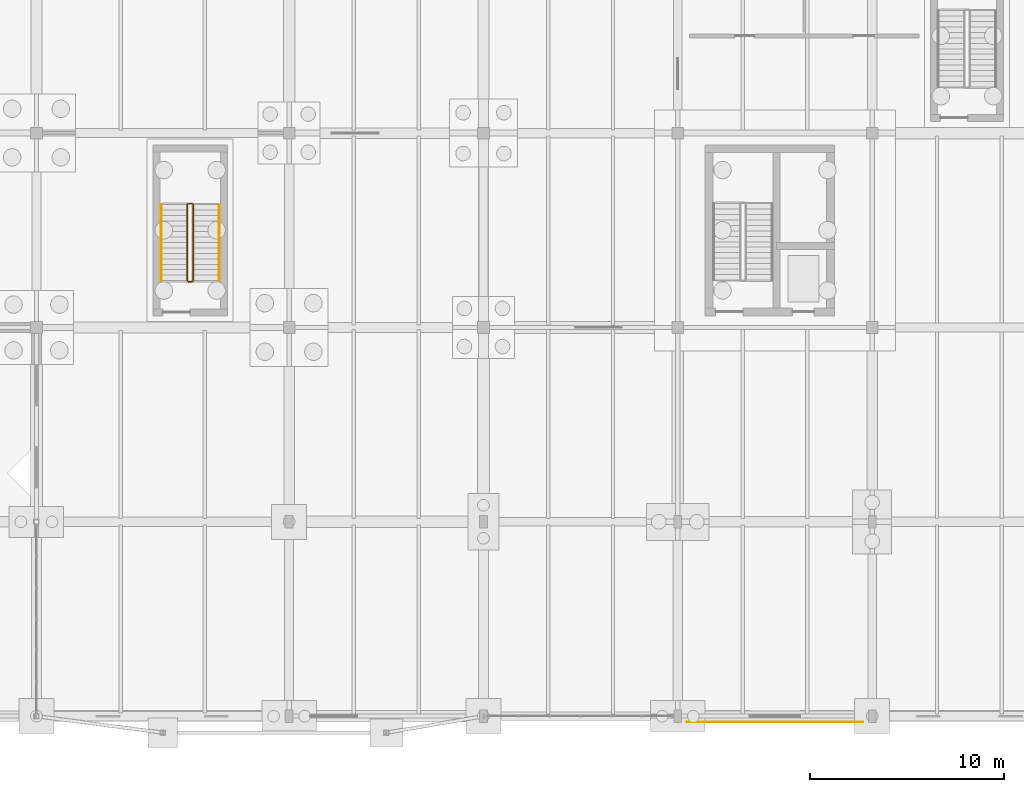
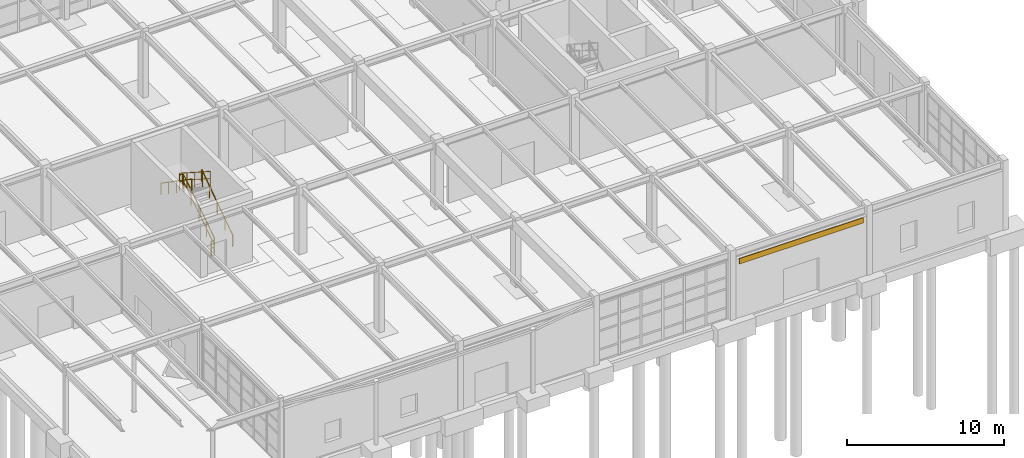
# One storey, part 139 of 145: 6 railings, 1 covering.
"""IFC4 building model written with IfcOpenShell, lengths in metres."""

from ifc_helpers import new_model, si_unit, direction, frame, origin, origin_2d, place, context, subcontext, project, spatial, polyline, circle, outline, extrude, material, layer, layer_set, type_object, element, save


model = new_model("IFC4")

# Units and contexts
model_context = context("Model", 3, precision=1e-05, world=origin(), true_north=direction((0.0, 1.0)))
body_context = subcontext(model_context, "Body", "Model", "MODEL_VIEW")
ifc_project = project(units=[si_unit("LENGTHUNIT", "METRE"), si_unit("AREAUNIT", "SQUARE_METRE"), si_unit("VOLUMEUNIT", "CUBIC_METRE"), si_unit("PLANEANGLEUNIT", "RADIAN"), si_unit("MASSUNIT", "GRAM", prefix="KILO"), si_unit("THERMODYNAMICTEMPERATUREUNIT", "KELVIN"), si_unit("POWERUNIT", "WATT")], contexts=[model_context])

# Site, building, storey
site_placement = place(None, origin())
site = spatial("IfcSite", under=ifc_project, at=site_placement, CompositionType="ELEMENT")
building_placement = place(site_placement, origin())
building = spatial("IfcBuilding", under=site, at=building_placement, Name="Korenveer Ferry Terminal", CompositionType="ELEMENT")
storey_placement = place(building_placement, origin())
storey = spatial("IfcBuildingStorey", under=building, at=storey_placement, Name="L00", CompositionType="ELEMENT", Elevation=0.0)

# Covering
ifc_material_1 = material(Name="Carved Belgian bluestone spandrel cladding", Category="masonry")
ifc_layer = layer(ifc_material_1, 0.050048828125)
ifc_layer_set = layer_set([ifc_layer], Name="Carved Belgian bluestone spandrel cladding")
covering_type = type_object("IfcCoveringType", Name="ENV-COV-STONE", PredefinedType="CLADDING", material=ifc_layer_set)
covering_placement = place(storey_placement, frame((0.0, 0.0, 4.179931640625)))
element("IfcCovering", 1, at=covering_placement, inside=storey, type_object=covering_type, Name="Belgian bluestone spandrel band 3", PredefinedType="CLADDING", context=body_context, shape_type="SweptSolid", body=[
    extrude(outline(polyline([(156.449951171875, -0.324951171875), (165.550048828125, -0.324951171875), (165.550048828125, -0.27490234375), (156.449951171875, -0.27490234375), (156.449951171875, -0.324951171875)])), origin(), (0.0, 0.0, 1.0), 0.420166015625),
])

# Railings
ifc_material_2 = material(Name="Brushed stainless steel handrail", Category="steel")
railing_type_1 = type_object("IfcRailingType", Name="INT-RL-HND90", PredefinedType="HANDRAIL", material=ifc_material_2)
railing_1_placement = place(storey_placement, frame((132.409912109375, 22.409912109375, 0.179931640625)))
element("IfcRailing", 2, at=railing_1_placement, inside=storey, type_object=railing_type_1, Name="L00 ST10 stair handrail 1", PredefinedType="HANDRAIL", context=body_context, shape_type="SweptSolid", body=[
    extrude(circle(Radius=0.02392578125, at=origin_2d()), frame((0.0, 0.0, 0.8759765625), z_axis=(0.0, 0.823567234665, 0.567218661528), x_axis=(-1.0, 0.0, 0.0)), (0.0, 0.0, 1.0), 4.760009765625),
    extrude(circle(Radius=0.02099609375, at=origin_2d()), origin(), (0.0, 0.0, 1.0), 0.851806640625),
    extrude(circle(Radius=0.02099609375, at=origin_2d()), frame((0.0, 0.97998046875, 0.675048828125)), (0.0, 0.0, 1.0), 0.851806640625),
    extrude(circle(Radius=0.02099609375, at=origin_2d()), frame((0.0, 1.9599609375, 1.35009765625)), (0.0, 0.0, 1.0), 0.851806640625),
    extrude(circle(Radius=0.02099609375, at=origin_2d()), frame((0.0, 2.940185546875, 2.02490234375)), (0.0, 0.0, 1.0), 0.851806640625),
    extrude(circle(Radius=0.02099609375, at=origin_2d()), frame((0.0, 3.920166015625, 2.699951171875)), (0.0, 0.0, 1.0), 0.851806640625),
])
railing_2_placement = place(storey_placement, frame((129.409912109375, 26.330078125, 2.8798828125)))
element("IfcRailing", 3, at=railing_2_placement, inside=storey, type_object=railing_type_1, Name="L00 ST10 stair handrail 2", PredefinedType="HANDRAIL", context=body_context, shape_type="SweptSolid", body=[
    extrude(circle(Radius=0.02392578125, at=origin_2d()), frame((0.0, 0.0, 0.8759765625), z_axis=(0.0, -0.82354327477, 0.567253448276), x_axis=(1.0, 0.0, 0.0)), (0.0, 0.0, 1.0), 4.760009765625),
    extrude(circle(Radius=0.02099609375, at=origin_2d()), origin(), (0.0, 0.0, 1.0), 0.851806640625),
    extrude(circle(Radius=0.02099609375, at=origin_2d()), frame((0.0, -0.97998046875, 0.675048828125)), (0.0, 0.0, 1.0), 0.851806640625),
    extrude(circle(Radius=0.02099609375, at=origin_2d()), frame((0.0, -1.9599609375, 1.35009765625)), (0.0, 0.0, 1.0), 0.851806640625),
    extrude(circle(Radius=0.02099609375, at=origin_2d()), frame((0.0, -2.940185546875, 2.025146484375)), (0.0, 0.0, 1.0), 0.851806640625),
    extrude(circle(Radius=0.02099609375, at=origin_2d()), frame((0.0, -3.920166015625, 2.7001953125)), (0.0, 0.0, 1.0), 0.851806640625),
])
ifc_material_3 = material(Name="Painted steel stair guard", Category="steel")
railing_type_2 = type_object("IfcRailingType", Name="INT-RL-STGRD", PredefinedType="GUARDRAIL", material=ifc_material_3)
railing_3_placement = place(storey_placement, frame((131.06005859375, 22.409912109375, 0.179931640625)))
element("IfcRailing", 4, at=railing_3_placement, inside=storey, type_object=railing_type_2, Name="L00 ST10 stair guard 1", PredefinedType="GUARDRAIL", context=body_context, shape_type="SweptSolid", body=[
    extrude(circle(Radius=0.02392578125, at=origin_2d()), frame((0.0, 0.0, 1.17578125), z_axis=(0.0, 0.841186985886, 0.540744352514), x_axis=(-1.0, 0.0, 0.0)), (0.0, 0.0, 1.0), 4.660400390625),
    extrude(circle(Radius=0.01806640625, at=origin_2d()), frame((0.0, 0.0, 0.6240234375), z_axis=(0.0, 0.841186985886, 0.540744352514), x_axis=(-1.0, 0.0, 0.0)), (0.0, 0.0, 1.0), 4.660400390625),
    extrude(circle(Radius=0.02099609375, at=origin_2d()), origin(), (0.0, 0.0, 1.0), 1.15185546875),
    extrude(circle(Radius=0.02099609375, at=origin_2d()), frame((0.0, 0.97998046875, 0.6298828125)), (0.0, 0.0, 1.0), 1.15185546875),
    extrude(circle(Radius=0.02099609375, at=origin_2d()), frame((0.0, 1.9599609375, 1.260009765625)), (0.0, 0.0, 1.0), 1.15185546875),
    extrude(circle(Radius=0.02099609375, at=origin_2d()), frame((0.0, 2.940185546875, 1.89013671875)), (0.0, 0.0, 1.0), 1.15185546875),
    extrude(circle(Radius=0.02099609375, at=origin_2d()), frame((0.0, 3.920166015625, 2.52001953125)), (0.0, 0.0, 1.0), 1.15185546875),
])
railing_4_placement = place(storey_placement, frame((131.010009765625, 26.3798828125, 2.699951171875)))
element("IfcRailing", 5, at=railing_4_placement, inside=storey, type_object=railing_type_2, Name="L00 ST10 stair guard 2", PredefinedType="GUARDRAIL", context=body_context, shape_type="SweptSolid", body=[
    extrude(circle(Radius=0.02392578125, at=origin_2d()), frame((0.0, 0.0, 1.17578125), z_axis=(-1.0, 0.0, 0.0), x_axis=(0.0, -1.0, 0.0)), (0.0, 0.0, 1.0), 0.199951171875),
    extrude(circle(Radius=0.01806640625, at=origin_2d()), frame((0.0, 0.0, 0.6240234375), z_axis=(-1.0, 0.0, 0.0), x_axis=(0.0, -1.0, 0.0)), (0.0, 0.0, 1.0), 0.199951171875),
    extrude(circle(Radius=0.02099609375, at=origin_2d()), origin(), (0.0, 0.0, 1.0), 1.15185546875),
    extrude(circle(Radius=0.02099609375, at=origin_2d()), frame((-0.199951171875, 0.0, 0.0)), (0.0, 0.0, 1.0), 1.15185546875),
])
railing_5_placement = place(storey_placement, frame((130.760009765625, 26.330078125, 2.8798828125)))
element("IfcRailing", 6, at=railing_5_placement, inside=storey, type_object=railing_type_2, Name="L00 ST10 stair guard 3", PredefinedType="GUARDRAIL", context=body_context, shape_type="SweptSolid", body=[
    extrude(circle(Radius=0.02392578125, at=origin_2d()), frame((0.0, 0.0, 1.17578125), z_axis=(0.0, -0.841186985886, 0.540744352514), x_axis=(1.0, 0.0, 0.0)), (0.0, 0.0, 1.0), 4.660400390625),
    extrude(circle(Radius=0.01806640625, at=origin_2d()), frame((0.0, 0.0, 0.6240234375), z_axis=(0.0, -0.841186985886, 0.540744352514), x_axis=(1.0, 0.0, 0.0)), (0.0, 0.0, 1.0), 4.660400390625),
    extrude(circle(Radius=0.02099609375, at=origin_2d()), origin(), (0.0, 0.0, 1.0), 1.15185546875),
    extrude(circle(Radius=0.02099609375, at=origin_2d()), frame((0.0, -0.97998046875, 0.6298828125)), (0.0, 0.0, 1.0), 1.15185546875),
    extrude(circle(Radius=0.02099609375, at=origin_2d()), frame((0.0, -1.9599609375, 1.260009765625)), (0.0, 0.0, 1.0), 1.15185546875),
    extrude(circle(Radius=0.02099609375, at=origin_2d()), frame((0.0, -2.940185546875, 1.89013671875)), (0.0, 0.0, 1.0), 1.15185546875),
    extrude(circle(Radius=0.02099609375, at=origin_2d()), frame((0.0, -3.920166015625, 2.52001953125)), (0.0, 0.0, 1.0), 1.15185546875),
])
railing_6_placement = place(storey_placement, frame((131.010009765625, 22.360107421875, 0.0)))
element("IfcRailing", 7, at=railing_6_placement, inside=storey, type_object=railing_type_2, Name="L00 ST10 stair guard 4", PredefinedType="GUARDRAIL", context=body_context, shape_type="SweptSolid", body=[
    extrude(circle(Radius=0.02392578125, at=origin_2d()), frame((0.0, 0.0, 1.17578125), z_axis=(-1.0, 0.0, 0.0), x_axis=(0.0, -1.0, 0.0)), (0.0, 0.0, 1.0), 0.199951171875),
    extrude(circle(Radius=0.01806640625, at=origin_2d()), frame((0.0, 0.0, 0.6240234375), z_axis=(-1.0, 0.0, 0.0), x_axis=(0.0, -1.0, 0.0)), (0.0, 0.0, 1.0), 0.199951171875),
    extrude(circle(Radius=0.02099609375, at=origin_2d()), origin(), (0.0, 0.0, 1.0), 1.15185546875),
    extrude(circle(Radius=0.02099609375, at=origin_2d()), frame((-0.199951171875, 0.0, 0.0)), (0.0, 0.0, 1.0), 1.15185546875),
])

save(model, "model.ifc")
